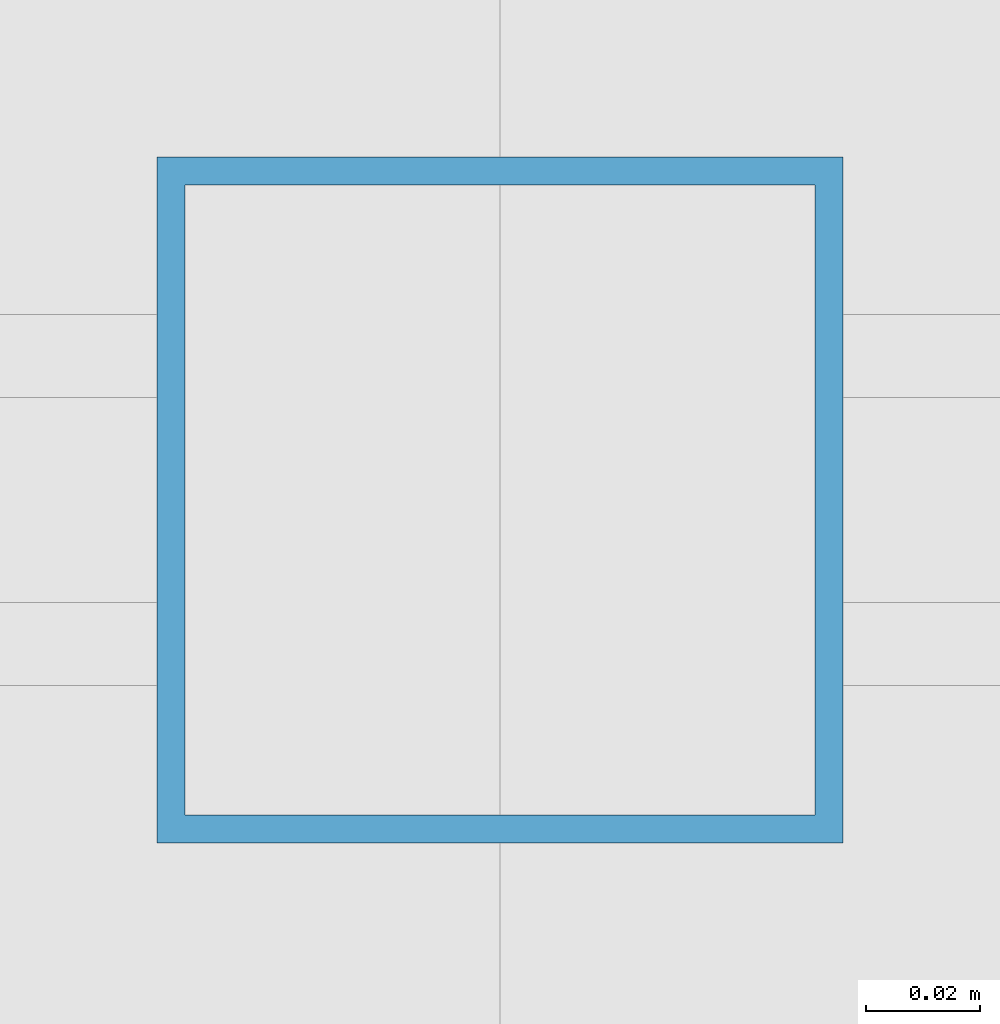
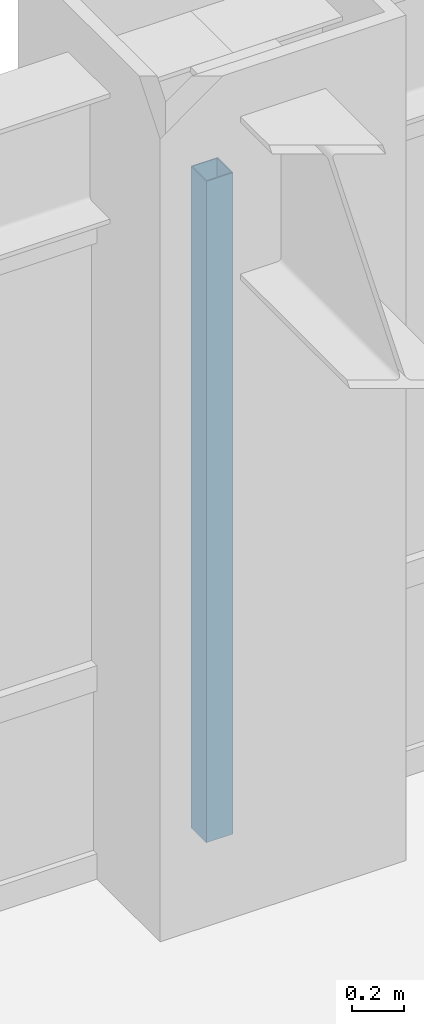
# One storey, part 16 of 24: 1 member, 1 element without a shape of its own.
"""IFC4 building model written with IfcOpenShell, lengths in metres."""

from ifc_helpers import new_model, si_unit, direction, frame, origin, origin_2d, place, context, subcontext, project, spatial, hollow_rectangle, extrude, source, transform, mapped, material, material_profile, profile_set, type_object, element, aggregate, save


model = new_model("IFC4")

# Units and contexts
model_context = context("Model", 3, precision=1e-05, world=origin(), true_north=direction((0.0, 1.0)))
body_context = subcontext(model_context, "Body", "Model", "MODEL_VIEW")
ifc_project = project(units=[si_unit("LENGTHUNIT", "METRE"), si_unit("AREAUNIT", "SQUARE_METRE"), si_unit("VOLUMEUNIT", "CUBIC_METRE"), si_unit("PLANEANGLEUNIT", "RADIAN"), si_unit("MASSUNIT", "GRAM", prefix="KILO")], contexts=[model_context])

# Site, building, storey
site_placement = place(None, origin())
site = spatial("IfcSite", under=ifc_project, at=site_placement, CompositionType="ELEMENT")
building_placement = place(site_placement, origin())
building = spatial("IfcBuilding", under=site, at=building_placement, Name="Khorayat Bourse Tower", CompositionType="ELEMENT")
storey_placement = place(building_placement, frame((0.0, 0.0, 179.10009765625)))
storey = spatial("IfcBuildingStorey", under=building, at=storey_placement, Name="L41", CompositionType="ELEMENT", Elevation=179.10009765625)

# Curtain wall, member
ifc_material = material(Name="Aluminium EN AW-6063 T6", Category="aluminium")
curtain_wall_type = type_object("IfcCurtainWallType", Name="CW-SYS-03", PredefinedType="NOTDEFINED", material=ifc_material)
curtain_wall_placement = place(storey_placement, origin())
curtain_wall = element("IfcCurtainWall", 1, at=curtain_wall_placement, inside=storey, type_object=curtain_wall_type, Name="L41 Curtain Wall CW-L41-N1", PredefinedType="NOTDEFINED")
ifc_material_profile = material_profile(ifc_material, hollow_rectangle(XDim=0.1201171875, YDim=0.1201171875, WallThickness=0.0048828125, at=origin_2d()), Name="ALU 120x120x5")
ifc_profile_set = profile_set([ifc_material_profile], Name="Aluminium EN AW-6063 T6")
member_type = type_object("IfcMemberType", Name="CWM-VERT-120", PredefinedType="MULLION", material=ifc_profile_set)
shared_shape = source(origin(), body_context, "Body", "SweptSolid", [
    extrude(hollow_rectangle(XDim=0.1201171875, YDim=0.1201171875, WallThickness=0.0048828125, at=origin_2d()), origin(), (0.0, 0.0, 1.0), 3.1298828125),
])
member_placement = place(storey_placement, frame((0.0, 30.0, 0.0), z_axis=(0.0, 0.0, 1.0), x_axis=(0.0, 1.0, 0.0)))
member = element("IfcMember", 2, at=member_placement, type_object=member_type, Name="CW-L41-N1 Vertical Mullion 2", PredefinedType="MULLION", context=body_context, shape_type="MappedRepresentation", body=[
    mapped(shared_shape, transform((0.0, 0.0, 0.0), scale=1.0)),
])
aggregate(curtain_wall, [member])

save(model, "model.ifc")
